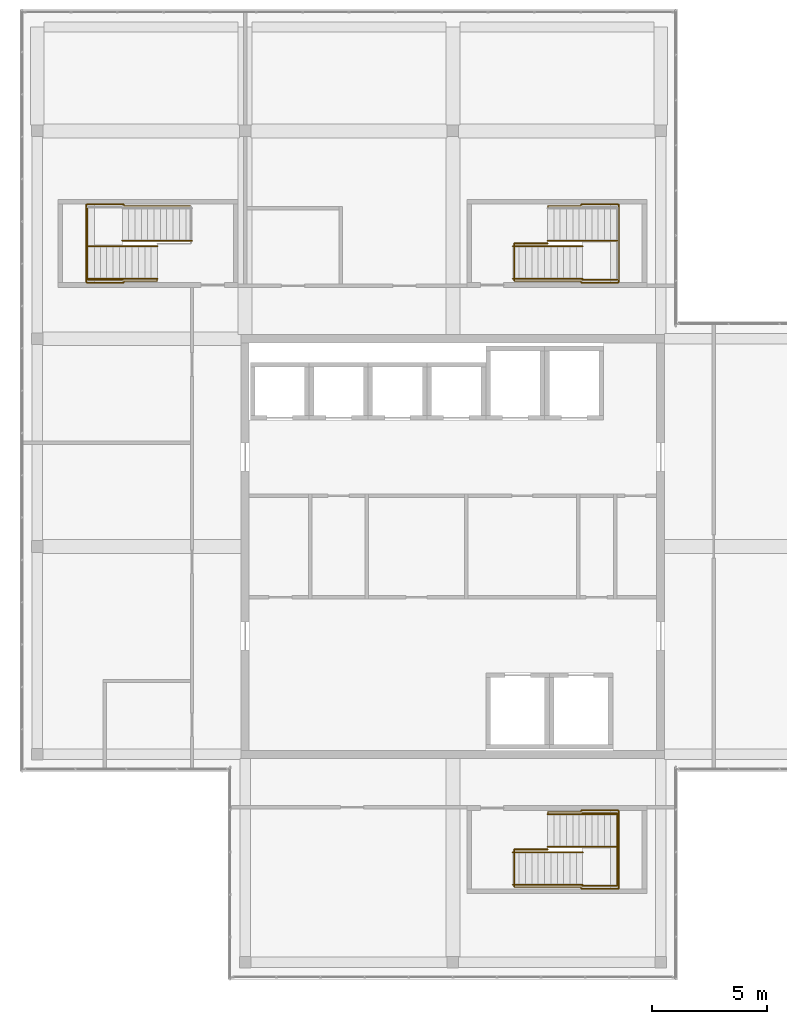
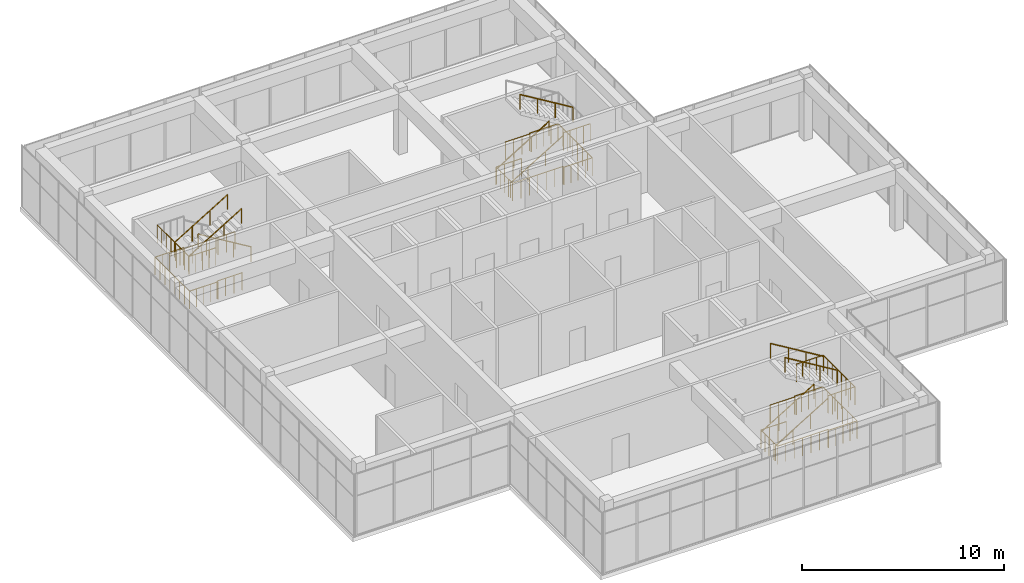
# One storey, part 33 of 34: 21 railings.
"""IFC4 building model written with IfcOpenShell, lengths in metres."""

from ifc_helpers import new_model, si_unit, direction, frame, origin, origin_2d, place, context, subcontext, project, spatial, circle, extrude, material, type_object, element, save


model = new_model("IFC4")

# Units and contexts
model_context = context("Model", 3, precision=1e-05, world=origin(), true_north=direction((0.0, 1.0)))
body_context = subcontext(model_context, "Body", "Model", "MODEL_VIEW")
ifc_project = project(units=[si_unit("LENGTHUNIT", "METRE"), si_unit("AREAUNIT", "SQUARE_METRE"), si_unit("VOLUMEUNIT", "CUBIC_METRE"), si_unit("PLANEANGLEUNIT", "RADIAN"), si_unit("MASSUNIT", "GRAM", prefix="KILO")], contexts=[model_context])

# Site, building, storey
site_placement = place(None, origin())
site = spatial("IfcSite", under=ifc_project, at=site_placement, CompositionType="ELEMENT")
building_placement = place(site_placement, origin())
building = spatial("IfcBuilding", under=site, at=building_placement, Name="Tuart Plaza Theatre", CompositionType="ELEMENT")
storey_placement = place(building_placement, frame((0.0, 0.0, 57.5)))
storey = spatial("IfcBuildingStorey", under=building, at=storey_placement, Name="L14", CompositionType="ELEMENT", Elevation=57.5)

# Railings
ifc_material_1 = material(Name="Steel Grade C350L0", Category="steel")
railing_type_1 = type_object("IfcRailingType", Name="RAILING Guard 1100", PredefinedType="GUARDRAIL", material=ifc_material_1)
railing_1_placement = place(storey_placement, frame((134.655029296875, 60.875, 0.0)))
element("IfcRailing", 1, at=railing_1_placement, inside=storey, type_object=railing_type_1, Name="GR264", PredefinedType="GUARDRAIL", context=body_context, shape_type="SweptSolid", body=[
    extrude(circle(Radius=0.02490234375, at=origin_2d()), frame((0.0, 0.0, 1.0751953125), z_axis=(1.0, 0.0, 0.0), x_axis=(0.0, 1.0, 0.0)), (0.0, 0.0, 1.0), 1.455078125),
    extrude(circle(Radius=0.02001953125, at=origin_2d()), origin(), (0.0, 0.0, 1.0), 1.050048828125),
    extrude(circle(Radius=0.02001953125, at=origin_2d()), frame((0.485107421875, 0.0, 0.0)), (0.0, 0.0, 1.0), 1.050048828125),
    extrude(circle(Radius=0.02001953125, at=origin_2d()), frame((0.969970703125, 0.0, 0.0)), (0.0, 0.0, 1.0), 1.050048828125),
    extrude(circle(Radius=0.02001953125, at=origin_2d()), frame((1.455078125, 0.0, 0.0)), (0.0, 0.0, 1.0), 1.050048828125),
])
railing_2_placement = place(storey_placement, frame((136.114990234375, 62.455078125, 0.0)))
element("IfcRailing", 2, at=railing_2_placement, inside=storey, type_object=railing_type_1, Name="GR265", PredefinedType="GUARDRAIL", context=body_context, shape_type="SweptSolid", body=[
    extrude(circle(Radius=0.02490234375, at=origin_2d()), frame((0.0, 0.0, 1.0751953125), z_axis=(0.0, 1.0, 0.0), x_axis=(-1.0, 0.0, 0.0)), (0.0, 0.0, 1.0), 0.044921875),
    extrude(circle(Radius=0.02490234375, at=origin_2d()), frame((0.0, 0.044921875, 1.0751953125), z_axis=(1.0, 0.0, 0.0), x_axis=(0.0, 1.0, 0.0)), (0.0, 0.0, 1.0), 1.43505859375),
    extrude(circle(Radius=0.02490234375, at=origin_2d()), frame((1.43505859375, 0.044921875, 1.0751953125), z_axis=(0.0, 1.0, 0.0), x_axis=(-1.0, 0.0, 0.0)), (0.0, 0.0, 1.0), 0.074951171875),
    extrude(circle(Radius=0.02490234375, at=origin_2d()), frame((1.43505859375, 0.119873046875, 1.0751953125), z_axis=(1.0, 0.0, 0.0), x_axis=(0.0, 1.0, 0.0)), (0.0, 0.0, 1.0), 1.6298828125),
    extrude(circle(Radius=0.02490234375, at=origin_2d()), frame((3.06494140625, 0.119873046875, 1.0751953125), z_axis=(0.0, -1.0, 0.0), x_axis=(1.0, 0.0, 0.0)), (0.0, 0.0, 1.0), 3.39990234375),
    extrude(circle(Radius=0.02490234375, at=origin_2d()), frame((3.06494140625, -3.280029296875, 1.0751953125), z_axis=(-1.0, 0.0, 0.0), x_axis=(0.0, -1.0, 0.0)), (0.0, 0.0, 1.0), 1.6298828125),
    extrude(circle(Radius=0.02490234375, at=origin_2d()), frame((1.43505859375, -3.280029296875, 1.0751953125), z_axis=(0.0, 1.0, 0.0), x_axis=(-1.0, 0.0, 0.0)), (0.0, 0.0, 1.0), 0.074951171875),
    extrude(circle(Radius=0.02490234375, at=origin_2d()), frame((1.43505859375, -3.205078125, 1.0751953125), z_axis=(-1.0, 0.0, 0.0), x_axis=(0.0, -1.0, 0.0)), (0.0, 0.0, 1.0), 2.89501953125),
    extrude(circle(Radius=0.02490234375, at=origin_2d()), frame((-1.4599609375, -3.205078125, 1.0751953125), z_axis=(0.0, 1.0, 0.0), x_axis=(-1.0, 0.0, 0.0)), (0.0, 0.0, 1.0), 1.625),
    extrude(circle(Radius=0.02001953125, at=origin_2d()), origin(), (0.0, 0.0, 1.0), 1.050048828125),
    extrude(circle(Radius=0.02001953125, at=origin_2d()), frame((0.0, 0.044921875, 0.0)), (0.0, 0.0, 1.0), 1.050048828125),
    extrude(circle(Radius=0.02001953125, at=origin_2d()), frame((0.478271484375, 0.044921875, 0.0)), (0.0, 0.0, 1.0), 1.050048828125),
    extrude(circle(Radius=0.02001953125, at=origin_2d()), frame((0.956787109375, 0.044921875, 0.0)), (0.0, 0.0, 1.0), 1.050048828125),
    extrude(circle(Radius=0.02001953125, at=origin_2d()), frame((1.43505859375, 0.044921875, 0.0)), (0.0, 0.0, 1.0), 1.050048828125),
    extrude(circle(Radius=0.02001953125, at=origin_2d()), frame((1.43505859375, 0.119873046875, 0.0)), (0.0, 0.0, 1.0), 1.050048828125),
    extrude(circle(Radius=0.02001953125, at=origin_2d()), frame((1.842529296875, 0.119873046875, 0.0)), (0.0, 0.0, 1.0), 1.050048828125),
    extrude(circle(Radius=0.02001953125, at=origin_2d()), frame((2.25, 0.119873046875, 0.0)), (0.0, 0.0, 1.0), 1.050048828125),
    extrude(circle(Radius=0.02001953125, at=origin_2d()), frame((2.657470703125, 0.119873046875, 0.0)), (0.0, 0.0, 1.0), 1.050048828125),
    extrude(circle(Radius=0.02001953125, at=origin_2d()), frame((3.06494140625, 0.119873046875, 0.0)), (0.0, 0.0, 1.0), 1.050048828125),
    extrude(circle(Radius=0.02001953125, at=origin_2d()), frame((3.06494140625, -0.36572265625, 0.0)), (0.0, 0.0, 1.0), 1.050048828125),
    extrude(circle(Radius=0.02001953125, at=origin_2d()), frame((3.06494140625, -0.8515625, 0.0)), (0.0, 0.0, 1.0), 1.050048828125),
    extrude(circle(Radius=0.02001953125, at=origin_2d()), frame((3.06494140625, -1.337158203125, 0.0)), (0.0, 0.0, 1.0), 1.050048828125),
    extrude(circle(Radius=0.02001953125, at=origin_2d()), frame((3.06494140625, -1.822998046875, 0.0)), (0.0, 0.0, 1.0), 1.050048828125),
    extrude(circle(Radius=0.02001953125, at=origin_2d()), frame((3.06494140625, -2.30859375, 0.0)), (0.0, 0.0, 1.0), 1.050048828125),
    extrude(circle(Radius=0.02001953125, at=origin_2d()), frame((3.06494140625, -2.79443359375, 0.0)), (0.0, 0.0, 1.0), 1.050048828125),
    extrude(circle(Radius=0.02001953125, at=origin_2d()), frame((3.06494140625, -3.280029296875, 0.0)), (0.0, 0.0, 1.0), 1.050048828125),
    extrude(circle(Radius=0.02001953125, at=origin_2d()), frame((2.657470703125, -3.280029296875, 0.0)), (0.0, 0.0, 1.0), 1.050048828125),
    extrude(circle(Radius=0.02001953125, at=origin_2d()), frame((2.25, -3.280029296875, 0.0)), (0.0, 0.0, 1.0), 1.050048828125),
    extrude(circle(Radius=0.02001953125, at=origin_2d()), frame((1.842529296875, -3.280029296875, 0.0)), (0.0, 0.0, 1.0), 1.050048828125),
    extrude(circle(Radius=0.02001953125, at=origin_2d()), frame((1.43505859375, -3.280029296875, 0.0)), (0.0, 0.0, 1.0), 1.050048828125),
    extrude(circle(Radius=0.02001953125, at=origin_2d()), frame((1.43505859375, -3.205078125, 0.0)), (0.0, 0.0, 1.0), 1.050048828125),
    extrude(circle(Radius=0.02001953125, at=origin_2d()), frame((0.95263671875, -3.205078125, 0.0)), (0.0, 0.0, 1.0), 1.050048828125),
    extrude(circle(Radius=0.02001953125, at=origin_2d()), frame((0.469970703125, -3.205078125, 0.0)), (0.0, 0.0, 1.0), 1.050048828125),
    extrude(circle(Radius=0.02001953125, at=origin_2d()), frame((-0.012451171875, -3.205078125, 0.0)), (0.0, 0.0, 1.0), 1.050048828125),
    extrude(circle(Radius=0.02001953125, at=origin_2d()), frame((-0.494873046875, -3.205078125, 0.0)), (0.0, 0.0, 1.0), 1.050048828125),
    extrude(circle(Radius=0.02001953125, at=origin_2d()), frame((-0.9775390625, -3.205078125, 0.0)), (0.0, 0.0, 1.0), 1.050048828125),
    extrude(circle(Radius=0.02001953125, at=origin_2d()), frame((-1.4599609375, -3.205078125, 0.0)), (0.0, 0.0, 1.0), 1.050048828125),
    extrude(circle(Radius=0.02001953125, at=origin_2d()), frame((-1.4599609375, -2.798828125, 0.0)), (0.0, 0.0, 1.0), 1.050048828125),
    extrude(circle(Radius=0.02001953125, at=origin_2d()), frame((-1.4599609375, -2.392578125, 0.0)), (0.0, 0.0, 1.0), 1.050048828125),
    extrude(circle(Radius=0.02001953125, at=origin_2d()), frame((-1.4599609375, -1.986328125, 0.0)), (0.0, 0.0, 1.0), 1.050048828125),
    extrude(circle(Radius=0.02001953125, at=origin_2d()), frame((-1.4599609375, -1.580078125, 0.0)), (0.0, 0.0, 1.0), 1.050048828125),
])
railing_3_placement = place(storey_placement, frame((137.60009765625, 59.300048828125, 2.0)))
element("IfcRailing", 3, at=railing_3_placement, inside=storey, type_object=railing_type_1, Name="GR271", PredefinedType="GUARDRAIL", context=body_context, shape_type="SweptSolid", body=[
    extrude(circle(Radius=0.02490234375, at=origin_2d()), frame((0.0, 0.0, 1.0751953125), z_axis=(1.0, 0.0, 0.0), x_axis=(0.0, 1.0, 0.0)), (0.0, 0.0, 1.0), 1.52978515625),
    extrude(circle(Radius=0.02001953125, at=origin_2d()), origin(), (0.0, 0.0, 1.0), 1.050048828125),
    extrude(circle(Radius=0.02001953125, at=origin_2d()), frame((0.38232421875, 0.0, 0.0)), (0.0, 0.0, 1.0), 1.050048828125),
    extrude(circle(Radius=0.02001953125, at=origin_2d()), frame((0.764892578125, 0.0, 0.0)), (0.0, 0.0, 1.0), 1.050048828125),
    extrude(circle(Radius=0.02001953125, at=origin_2d()), frame((1.1474609375, 0.0, 0.0)), (0.0, 0.0, 1.0), 1.050048828125),
    extrude(circle(Radius=0.02001953125, at=origin_2d()), frame((1.52978515625, 0.0, 0.0)), (0.0, 0.0, 1.0), 1.050048828125),
])
railing_4_placement = place(storey_placement, frame((139.1298828125, 59.300048828125, 2.0)))
element("IfcRailing", 4, at=railing_4_placement, inside=storey, type_object=railing_type_1, Name="GR272", PredefinedType="GUARDRAIL", context=body_context, shape_type="SweptSolid", body=[
    extrude(circle(Radius=0.02490234375, at=origin_2d()), frame((0.0, 0.0, 1.0751953125), z_axis=(0.0, 1.0, 0.0), x_axis=(-1.0, 0.0, 0.0)), (0.0, 0.0, 1.0), 3.14990234375),
    extrude(circle(Radius=0.02001953125, at=origin_2d()), origin(), (0.0, 0.0, 1.0), 1.050048828125),
    extrude(circle(Radius=0.02001953125, at=origin_2d()), frame((0.0, 0.449951171875, 0.0)), (0.0, 0.0, 1.0), 1.050048828125),
    extrude(circle(Radius=0.02001953125, at=origin_2d()), frame((0.0, 0.89990234375, 0.0)), (0.0, 0.0, 1.0), 1.050048828125),
    extrude(circle(Radius=0.02001953125, at=origin_2d()), frame((0.0, 1.349853515625, 0.0)), (0.0, 0.0, 1.0), 1.050048828125),
    extrude(circle(Radius=0.02001953125, at=origin_2d()), frame((0.0, 1.800048828125, 0.0)), (0.0, 0.0, 1.0), 1.050048828125),
    extrude(circle(Radius=0.02001953125, at=origin_2d()), frame((0.0, 2.25, 0.0)), (0.0, 0.0, 1.0), 1.050048828125),
    extrude(circle(Radius=0.02001953125, at=origin_2d()), frame((0.0, 2.699951171875, 0.0)), (0.0, 0.0, 1.0), 1.050048828125),
    extrude(circle(Radius=0.02001953125, at=origin_2d()), frame((0.0, 3.14990234375, 0.0)), (0.0, 0.0, 1.0), 1.050048828125),
])
railing_5_placement = place(storey_placement, frame((139.1298828125, 62.449951171875, 2.0)))
element("IfcRailing", 5, at=railing_5_placement, inside=storey, type_object=railing_type_1, Name="GR273", PredefinedType="GUARDRAIL", context=body_context, shape_type="SweptSolid", body=[
    extrude(circle(Radius=0.02490234375, at=origin_2d()), frame((0.0, 0.0, 1.0751953125), z_axis=(-1.0, 0.0, 0.0), x_axis=(0.0, -1.0, 0.0)), (0.0, 0.0, 1.0), 1.52978515625),
    extrude(circle(Radius=0.02001953125, at=origin_2d()), origin(), (0.0, 0.0, 1.0), 1.050048828125),
    extrude(circle(Radius=0.02001953125, at=origin_2d()), frame((-0.38232421875, 0.0, 0.0)), (0.0, 0.0, 1.0), 1.050048828125),
    extrude(circle(Radius=0.02001953125, at=origin_2d()), frame((-0.764892578125, 0.0, 0.0)), (0.0, 0.0, 1.0), 1.050048828125),
    extrude(circle(Radius=0.02001953125, at=origin_2d()), frame((-1.1474609375, 0.0, 0.0)), (0.0, 0.0, 1.0), 1.050048828125),
    extrude(circle(Radius=0.02001953125, at=origin_2d()), frame((-1.52978515625, 0.0, 0.0)), (0.0, 0.0, 1.0), 1.050048828125),
])
railing_6_placement = place(storey_placement, frame((134.655029296875, 87.125, 0.0)))
element("IfcRailing", 6, at=railing_6_placement, inside=storey, type_object=railing_type_1, Name="GR343", PredefinedType="GUARDRAIL", context=body_context, shape_type="SweptSolid", body=[
    extrude(circle(Radius=0.02490234375, at=origin_2d()), frame((0.0, 0.0, 1.0751953125), z_axis=(1.0, 0.0, 0.0), x_axis=(0.0, 1.0, 0.0)), (0.0, 0.0, 1.0), 1.455078125),
    extrude(circle(Radius=0.02001953125, at=origin_2d()), origin(), (0.0, 0.0, 1.0), 1.050048828125),
    extrude(circle(Radius=0.02001953125, at=origin_2d()), frame((0.485107421875, 0.0, 0.0)), (0.0, 0.0, 1.0), 1.050048828125),
    extrude(circle(Radius=0.02001953125, at=origin_2d()), frame((0.969970703125, 0.0, 0.0)), (0.0, 0.0, 1.0), 1.050048828125),
    extrude(circle(Radius=0.02001953125, at=origin_2d()), frame((1.455078125, 0.0, 0.0)), (0.0, 0.0, 1.0), 1.050048828125),
])
railing_7_placement = place(storey_placement, frame((136.114990234375, 88.705078125, 0.0)))
element("IfcRailing", 7, at=railing_7_placement, inside=storey, type_object=railing_type_1, Name="GR344", PredefinedType="GUARDRAIL", context=body_context, shape_type="SweptSolid", body=[
    extrude(circle(Radius=0.02490234375, at=origin_2d()), frame((0.0, 0.0, 1.0751953125), z_axis=(0.0, 1.0, 0.0), x_axis=(-1.0, 0.0, 0.0)), (0.0, 0.0, 1.0), 0.044921875),
    extrude(circle(Radius=0.02490234375, at=origin_2d()), frame((0.0, 0.044921875, 1.0751953125), z_axis=(1.0, 0.0, 0.0), x_axis=(0.0, 1.0, 0.0)), (0.0, 0.0, 1.0), 1.43505859375),
    extrude(circle(Radius=0.02490234375, at=origin_2d()), frame((1.43505859375, 0.044921875, 1.0751953125), z_axis=(0.0, 1.0, 0.0), x_axis=(-1.0, 0.0, 0.0)), (0.0, 0.0, 1.0), 0.074951171875),
    extrude(circle(Radius=0.02490234375, at=origin_2d()), frame((1.43505859375, 0.119873046875, 1.0751953125), z_axis=(1.0, 0.0, 0.0), x_axis=(0.0, 1.0, 0.0)), (0.0, 0.0, 1.0), 1.6298828125),
    extrude(circle(Radius=0.02490234375, at=origin_2d()), frame((3.06494140625, 0.119873046875, 1.0751953125), z_axis=(0.0, -1.0, 0.0), x_axis=(1.0, 0.0, 0.0)), (0.0, 0.0, 1.0), 3.39990234375),
    extrude(circle(Radius=0.02490234375, at=origin_2d()), frame((3.06494140625, -3.280029296875, 1.0751953125), z_axis=(-1.0, 0.0, 0.0), x_axis=(0.0, -1.0, 0.0)), (0.0, 0.0, 1.0), 1.6298828125),
    extrude(circle(Radius=0.02490234375, at=origin_2d()), frame((1.43505859375, -3.280029296875, 1.0751953125), z_axis=(0.0, 1.0, 0.0), x_axis=(-1.0, 0.0, 0.0)), (0.0, 0.0, 1.0), 0.074951171875),
    extrude(circle(Radius=0.02490234375, at=origin_2d()), frame((1.43505859375, -3.205078125, 1.0751953125), z_axis=(-1.0, 0.0, 0.0), x_axis=(0.0, -1.0, 0.0)), (0.0, 0.0, 1.0), 2.89501953125),
    extrude(circle(Radius=0.02490234375, at=origin_2d()), frame((-1.4599609375, -3.205078125, 1.0751953125), z_axis=(0.0, 1.0, 0.0), x_axis=(-1.0, 0.0, 0.0)), (0.0, 0.0, 1.0), 1.625),
    extrude(circle(Radius=0.02001953125, at=origin_2d()), origin(), (0.0, 0.0, 1.0), 1.050048828125),
    extrude(circle(Radius=0.02001953125, at=origin_2d()), frame((0.0, 0.044921875, 0.0)), (0.0, 0.0, 1.0), 1.050048828125),
    extrude(circle(Radius=0.02001953125, at=origin_2d()), frame((0.478271484375, 0.044921875, 0.0)), (0.0, 0.0, 1.0), 1.050048828125),
    extrude(circle(Radius=0.02001953125, at=origin_2d()), frame((0.956787109375, 0.044921875, 0.0)), (0.0, 0.0, 1.0), 1.050048828125),
    extrude(circle(Radius=0.02001953125, at=origin_2d()), frame((1.43505859375, 0.044921875, 0.0)), (0.0, 0.0, 1.0), 1.050048828125),
    extrude(circle(Radius=0.02001953125, at=origin_2d()), frame((1.43505859375, 0.119873046875, 0.0)), (0.0, 0.0, 1.0), 1.050048828125),
    extrude(circle(Radius=0.02001953125, at=origin_2d()), frame((1.842529296875, 0.119873046875, 0.0)), (0.0, 0.0, 1.0), 1.050048828125),
    extrude(circle(Radius=0.02001953125, at=origin_2d()), frame((2.25, 0.119873046875, 0.0)), (0.0, 0.0, 1.0), 1.050048828125),
    extrude(circle(Radius=0.02001953125, at=origin_2d()), frame((2.657470703125, 0.119873046875, 0.0)), (0.0, 0.0, 1.0), 1.050048828125),
    extrude(circle(Radius=0.02001953125, at=origin_2d()), frame((3.06494140625, 0.119873046875, 0.0)), (0.0, 0.0, 1.0), 1.050048828125),
    extrude(circle(Radius=0.02001953125, at=origin_2d()), frame((3.06494140625, -0.36572265625, 0.0)), (0.0, 0.0, 1.0), 1.050048828125),
    extrude(circle(Radius=0.02001953125, at=origin_2d()), frame((3.06494140625, -0.8515625, 0.0)), (0.0, 0.0, 1.0), 1.050048828125),
    extrude(circle(Radius=0.02001953125, at=origin_2d()), frame((3.06494140625, -1.337158203125, 0.0)), (0.0, 0.0, 1.0), 1.050048828125),
    extrude(circle(Radius=0.02001953125, at=origin_2d()), frame((3.06494140625, -1.822998046875, 0.0)), (0.0, 0.0, 1.0), 1.050048828125),
    extrude(circle(Radius=0.02001953125, at=origin_2d()), frame((3.06494140625, -2.30859375, 0.0)), (0.0, 0.0, 1.0), 1.050048828125),
    extrude(circle(Radius=0.02001953125, at=origin_2d()), frame((3.06494140625, -2.79443359375, 0.0)), (0.0, 0.0, 1.0), 1.050048828125),
    extrude(circle(Radius=0.02001953125, at=origin_2d()), frame((3.06494140625, -3.280029296875, 0.0)), (0.0, 0.0, 1.0), 1.050048828125),
    extrude(circle(Radius=0.02001953125, at=origin_2d()), frame((2.657470703125, -3.280029296875, 0.0)), (0.0, 0.0, 1.0), 1.050048828125),
    extrude(circle(Radius=0.02001953125, at=origin_2d()), frame((2.25, -3.280029296875, 0.0)), (0.0, 0.0, 1.0), 1.050048828125),
    extrude(circle(Radius=0.02001953125, at=origin_2d()), frame((1.842529296875, -3.280029296875, 0.0)), (0.0, 0.0, 1.0), 1.050048828125),
    extrude(circle(Radius=0.02001953125, at=origin_2d()), frame((1.43505859375, -3.280029296875, 0.0)), (0.0, 0.0, 1.0), 1.050048828125),
    extrude(circle(Radius=0.02001953125, at=origin_2d()), frame((1.43505859375, -3.205078125, 0.0)), (0.0, 0.0, 1.0), 1.050048828125),
    extrude(circle(Radius=0.02001953125, at=origin_2d()), frame((0.95263671875, -3.205078125, 0.0)), (0.0, 0.0, 1.0), 1.050048828125),
    extrude(circle(Radius=0.02001953125, at=origin_2d()), frame((0.469970703125, -3.205078125, 0.0)), (0.0, 0.0, 1.0), 1.050048828125),
    extrude(circle(Radius=0.02001953125, at=origin_2d()), frame((-0.012451171875, -3.205078125, 0.0)), (0.0, 0.0, 1.0), 1.050048828125),
    extrude(circle(Radius=0.02001953125, at=origin_2d()), frame((-0.494873046875, -3.205078125, 0.0)), (0.0, 0.0, 1.0), 1.050048828125),
    extrude(circle(Radius=0.02001953125, at=origin_2d()), frame((-0.9775390625, -3.205078125, 0.0)), (0.0, 0.0, 1.0), 1.050048828125),
    extrude(circle(Radius=0.02001953125, at=origin_2d()), frame((-1.4599609375, -3.205078125, 0.0)), (0.0, 0.0, 1.0), 1.050048828125),
    extrude(circle(Radius=0.02001953125, at=origin_2d()), frame((-1.4599609375, -2.798828125, 0.0)), (0.0, 0.0, 1.0), 1.050048828125),
    extrude(circle(Radius=0.02001953125, at=origin_2d()), frame((-1.4599609375, -2.392578125, 0.0)), (0.0, 0.0, 1.0), 1.050048828125),
    extrude(circle(Radius=0.02001953125, at=origin_2d()), frame((-1.4599609375, -1.986328125, 0.0)), (0.0, 0.0, 1.0), 1.050048828125),
    extrude(circle(Radius=0.02001953125, at=origin_2d()), frame((-1.4599609375, -1.580078125, 0.0)), (0.0, 0.0, 1.0), 1.050048828125),
])
railing_8_placement = place(storey_placement, frame((137.60009765625, 85.550048828125, 2.0)))
element("IfcRailing", 8, at=railing_8_placement, inside=storey, type_object=railing_type_1, Name="GR350", PredefinedType="GUARDRAIL", context=body_context, shape_type="SweptSolid", body=[
    extrude(circle(Radius=0.02490234375, at=origin_2d()), frame((0.0, 0.0, 1.0751953125), z_axis=(1.0, 0.0, 0.0), x_axis=(0.0, 1.0, 0.0)), (0.0, 0.0, 1.0), 1.52978515625),
    extrude(circle(Radius=0.02001953125, at=origin_2d()), origin(), (0.0, 0.0, 1.0), 1.050048828125),
    extrude(circle(Radius=0.02001953125, at=origin_2d()), frame((0.38232421875, 0.0, 0.0)), (0.0, 0.0, 1.0), 1.050048828125),
    extrude(circle(Radius=0.02001953125, at=origin_2d()), frame((0.764892578125, 0.0, 0.0)), (0.0, 0.0, 1.0), 1.050048828125),
    extrude(circle(Radius=0.02001953125, at=origin_2d()), frame((1.1474609375, 0.0, 0.0)), (0.0, 0.0, 1.0), 1.050048828125),
    extrude(circle(Radius=0.02001953125, at=origin_2d()), frame((1.52978515625, 0.0, 0.0)), (0.0, 0.0, 1.0), 1.050048828125),
])
railing_9_placement = place(storey_placement, frame((119.18505859375, 85.544921875, 0.0)))
element("IfcRailing", 9, at=railing_9_placement, inside=storey, type_object=railing_type_1, Name="GR423", PredefinedType="GUARDRAIL", context=body_context, shape_type="SweptSolid", body=[
    extrude(circle(Radius=0.02490234375, at=origin_2d()), frame((0.0, 0.0, 1.0751953125), z_axis=(0.0, -1.0, 0.0), x_axis=(1.0, 0.0, 0.0)), (0.0, 0.0, 1.0), 0.044921875),
    extrude(circle(Radius=0.02490234375, at=origin_2d()), frame((0.0, -0.044921875, 1.0751953125), z_axis=(-1.0, 0.0, 0.0), x_axis=(0.0, -1.0, 0.0)), (0.0, 0.0, 1.0), 1.43505859375),
    extrude(circle(Radius=0.02490234375, at=origin_2d()), frame((-1.43505859375, -0.044921875, 1.0751953125), z_axis=(0.0, -1.0, 0.0), x_axis=(1.0, 0.0, 0.0)), (0.0, 0.0, 1.0), 0.074951171875),
    extrude(circle(Radius=0.02490234375, at=origin_2d()), frame((-1.43505859375, -0.119873046875, 1.0751953125), z_axis=(-1.0, 0.0, 0.0), x_axis=(0.0, -1.0, 0.0)), (0.0, 0.0, 1.0), 1.6298828125),
    extrude(circle(Radius=0.02490234375, at=origin_2d()), frame((-3.06494140625, -0.119873046875, 1.0751953125), z_axis=(0.0, 1.0, 0.0), x_axis=(-1.0, 0.0, 0.0)), (0.0, 0.0, 1.0), 3.39990234375),
    extrude(circle(Radius=0.02490234375, at=origin_2d()), frame((-3.06494140625, 3.280029296875, 1.0751953125), z_axis=(1.0, 0.0, 0.0), x_axis=(0.0, 1.0, 0.0)), (0.0, 0.0, 1.0), 1.6298828125),
    extrude(circle(Radius=0.02490234375, at=origin_2d()), frame((-1.43505859375, 3.280029296875, 1.0751953125), z_axis=(0.0, -1.0, 0.0), x_axis=(1.0, 0.0, 0.0)), (0.0, 0.0, 1.0), 0.074951171875),
    extrude(circle(Radius=0.02490234375, at=origin_2d()), frame((-1.43505859375, 3.205078125, 1.0751953125), z_axis=(1.0, 0.0, 0.0), x_axis=(0.0, 1.0, 0.0)), (0.0, 0.0, 1.0), 2.89501953125),
    extrude(circle(Radius=0.02001953125, at=origin_2d()), origin(), (0.0, 0.0, 1.0), 1.050048828125),
    extrude(circle(Radius=0.02001953125, at=origin_2d()), frame((0.0, -0.044921875, 0.0)), (0.0, 0.0, 1.0), 1.050048828125),
    extrude(circle(Radius=0.02001953125, at=origin_2d()), frame((-0.478271484375, -0.044921875, 0.0)), (0.0, 0.0, 1.0), 1.050048828125),
    extrude(circle(Radius=0.02001953125, at=origin_2d()), frame((-0.956787109375, -0.044921875, 0.0)), (0.0, 0.0, 1.0), 1.050048828125),
    extrude(circle(Radius=0.02001953125, at=origin_2d()), frame((-1.43505859375, -0.044921875, 0.0)), (0.0, 0.0, 1.0), 1.050048828125),
    extrude(circle(Radius=0.02001953125, at=origin_2d()), frame((-1.43505859375, -0.119873046875, 0.0)), (0.0, 0.0, 1.0), 1.050048828125),
    extrude(circle(Radius=0.02001953125, at=origin_2d()), frame((-1.842529296875, -0.119873046875, 0.0)), (0.0, 0.0, 1.0), 1.050048828125),
    extrude(circle(Radius=0.02001953125, at=origin_2d()), frame((-2.25, -0.119873046875, 0.0)), (0.0, 0.0, 1.0), 1.050048828125),
    extrude(circle(Radius=0.02001953125, at=origin_2d()), frame((-2.657470703125, -0.119873046875, 0.0)), (0.0, 0.0, 1.0), 1.050048828125),
    extrude(circle(Radius=0.02001953125, at=origin_2d()), frame((-3.06494140625, -0.119873046875, 0.0)), (0.0, 0.0, 1.0), 1.050048828125),
    extrude(circle(Radius=0.02001953125, at=origin_2d()), frame((-3.06494140625, 0.36572265625, 0.0)), (0.0, 0.0, 1.0), 1.050048828125),
    extrude(circle(Radius=0.02001953125, at=origin_2d()), frame((-3.06494140625, 0.8515625, 0.0)), (0.0, 0.0, 1.0), 1.050048828125),
    extrude(circle(Radius=0.02001953125, at=origin_2d()), frame((-3.06494140625, 1.337158203125, 0.0)), (0.0, 0.0, 1.0), 1.050048828125),
    extrude(circle(Radius=0.02001953125, at=origin_2d()), frame((-3.06494140625, 1.822998046875, 0.0)), (0.0, 0.0, 1.0), 1.050048828125),
    extrude(circle(Radius=0.02001953125, at=origin_2d()), frame((-3.06494140625, 2.30859375, 0.0)), (0.0, 0.0, 1.0), 1.050048828125),
    extrude(circle(Radius=0.02001953125, at=origin_2d()), frame((-3.06494140625, 2.79443359375, 0.0)), (0.0, 0.0, 1.0), 1.050048828125),
    extrude(circle(Radius=0.02001953125, at=origin_2d()), frame((-3.06494140625, 3.280029296875, 0.0)), (0.0, 0.0, 1.0), 1.050048828125),
    extrude(circle(Radius=0.02001953125, at=origin_2d()), frame((-2.657470703125, 3.280029296875, 0.0)), (0.0, 0.0, 1.0), 1.050048828125),
    extrude(circle(Radius=0.02001953125, at=origin_2d()), frame((-2.25, 3.280029296875, 0.0)), (0.0, 0.0, 1.0), 1.050048828125),
    extrude(circle(Radius=0.02001953125, at=origin_2d()), frame((-1.842529296875, 3.280029296875, 0.0)), (0.0, 0.0, 1.0), 1.050048828125),
    extrude(circle(Radius=0.02001953125, at=origin_2d()), frame((-1.43505859375, 3.280029296875, 0.0)), (0.0, 0.0, 1.0), 1.050048828125),
    extrude(circle(Radius=0.02001953125, at=origin_2d()), frame((-1.43505859375, 3.205078125, 0.0)), (0.0, 0.0, 1.0), 1.050048828125),
    extrude(circle(Radius=0.02001953125, at=origin_2d()), frame((-0.95263671875, 3.205078125, 0.0)), (0.0, 0.0, 1.0), 1.050048828125),
    extrude(circle(Radius=0.02001953125, at=origin_2d()), frame((-0.469970703125, 3.205078125, 0.0)), (0.0, 0.0, 1.0), 1.050048828125),
    extrude(circle(Radius=0.02001953125, at=origin_2d()), frame((0.012451171875, 3.205078125, 0.0)), (0.0, 0.0, 1.0), 1.050048828125),
    extrude(circle(Radius=0.02001953125, at=origin_2d()), frame((0.494873046875, 3.205078125, 0.0)), (0.0, 0.0, 1.0), 1.050048828125),
    extrude(circle(Radius=0.02001953125, at=origin_2d()), frame((0.9775390625, 3.205078125, 0.0)), (0.0, 0.0, 1.0), 1.050048828125),
    extrude(circle(Radius=0.02001953125, at=origin_2d()), frame((1.4599609375, 3.205078125, 0.0)), (0.0, 0.0, 1.0), 1.050048828125),
])
railing_10_placement = place(storey_placement, frame((116.169921875, 88.699951171875, 2.0)))
element("IfcRailing", 10, at=railing_10_placement, inside=storey, type_object=railing_type_1, Name="GR430", PredefinedType="GUARDRAIL", context=body_context, shape_type="SweptSolid", body=[
    extrude(circle(Radius=0.02490234375, at=origin_2d()), frame((0.0, 0.0, 1.0751953125), z_axis=(0.0, -1.0, 0.0), x_axis=(1.0, 0.0, 0.0)), (0.0, 0.0, 1.0), 3.14990234375),
    extrude(circle(Radius=0.02001953125, at=origin_2d()), origin(), (0.0, 0.0, 1.0), 1.050048828125),
    extrude(circle(Radius=0.02001953125, at=origin_2d()), frame((0.0, -0.449951171875, 0.0)), (0.0, 0.0, 1.0), 1.050048828125),
    extrude(circle(Radius=0.02001953125, at=origin_2d()), frame((0.0, -0.89990234375, 0.0)), (0.0, 0.0, 1.0), 1.050048828125),
    extrude(circle(Radius=0.02001953125, at=origin_2d()), frame((0.0, -1.349853515625, 0.0)), (0.0, 0.0, 1.0), 1.050048828125),
    extrude(circle(Radius=0.02001953125, at=origin_2d()), frame((0.0, -1.800048828125, 0.0)), (0.0, 0.0, 1.0), 1.050048828125),
    extrude(circle(Radius=0.02001953125, at=origin_2d()), frame((0.0, -2.25, 0.0)), (0.0, 0.0, 1.0), 1.050048828125),
    extrude(circle(Radius=0.02001953125, at=origin_2d()), frame((0.0, -2.699951171875, 0.0)), (0.0, 0.0, 1.0), 1.050048828125),
    extrude(circle(Radius=0.02001953125, at=origin_2d()), frame((0.0, -3.14990234375, 0.0)), (0.0, 0.0, 1.0), 1.050048828125),
])
railing_11_placement = place(storey_placement, frame((116.169921875, 85.550048828125, 2.0)))
element("IfcRailing", 11, at=railing_11_placement, inside=storey, type_object=railing_type_1, Name="GR431", PredefinedType="GUARDRAIL", context=body_context, shape_type="SweptSolid", body=[
    extrude(circle(Radius=0.02490234375, at=origin_2d()), frame((0.0, 0.0, 1.0751953125), z_axis=(1.0, 0.0, 0.0), x_axis=(0.0, 1.0, 0.0)), (0.0, 0.0, 1.0), 1.530029296875),
    extrude(circle(Radius=0.02001953125, at=origin_2d()), origin(), (0.0, 0.0, 1.0), 1.050048828125),
    extrude(circle(Radius=0.02001953125, at=origin_2d()), frame((0.382568359375, 0.0, 0.0)), (0.0, 0.0, 1.0), 1.050048828125),
    extrude(circle(Radius=0.02001953125, at=origin_2d()), frame((0.76513671875, 0.0, 0.0)), (0.0, 0.0, 1.0), 1.050048828125),
    extrude(circle(Radius=0.02001953125, at=origin_2d()), frame((1.1474609375, 0.0, 0.0)), (0.0, 0.0, 1.0), 1.050048828125),
    extrude(circle(Radius=0.02001953125, at=origin_2d()), frame((1.530029296875, 0.0, 0.0)), (0.0, 0.0, 1.0), 1.050048828125),
])
ifc_material_2 = material(Name="Steel Grade C350L0", Category="steel")
railing_type_2 = type_object("IfcRailingType", Name="RAILING Handrail 900", PredefinedType="HANDRAIL", material=ifc_material_2)
for number, where, name in (
    (12, (134.594970703125, 60.75, 0.166748046875), "HR171"),
    (13, (134.594970703125, 59.35009765625, 0.166748046875), "HR172"),
):
    element("IfcRailing", number, at=place(storey_placement, frame(where)), inside=storey, type_object=railing_type_2, Name=name, PredefinedType="HANDRAIL", context=body_context, shape_type="SweptSolid", body=[
        extrude(circle(Radius=0.0224609375, at=origin_2d()), frame((0.0, 0.0, 0.87744140625), z_axis=(0.855219153138, 0.0, 0.518266533848), x_axis=(0.0, 1.0, 0.0)), (0.0, 0.0, 1.0), 3.537353515625),
        extrude(circle(Radius=0.01513671875, at=origin_2d()), origin(), (0.0, 0.0, 1.0), 0.85498046875),
        extrude(circle(Radius=0.01513671875, at=origin_2d()), frame((1.00830078125, 0.0, 0.611083984375)), (0.0, 0.0, 1.0), 0.85498046875),
        extrude(circle(Radius=0.01513671875, at=origin_2d()), frame((2.016845703125, 0.0, 1.22216796875)), (0.0, 0.0, 1.0), 0.85498046875),
        extrude(circle(Radius=0.01513671875, at=origin_2d()), frame((3.025146484375, 0.0, 1.833251953125)), (0.0, 0.0, 1.0), 0.85498046875),
    ])
for number, where, name in (
    (14, (139.1201171875, 61.0, 2.166748046875), "HR173"),
    (15, (139.1201171875, 62.39990234375, 2.166748046875), "HR174"),
):
    element("IfcRailing", number, at=place(storey_placement, frame(where)), inside=storey, type_object=railing_type_2, Name=name, PredefinedType="HANDRAIL", context=body_context, shape_type="SweptSolid", body=[
        extrude(circle(Radius=0.0224609375, at=origin_2d()), frame((0.0, 0.0, 0.87744140625), z_axis=(-0.855219153138, 0.0, 0.518266533848), x_axis=(0.0, -1.0, 0.0)), (0.0, 0.0, 1.0), 3.537353515625),
        extrude(circle(Radius=0.01513671875, at=origin_2d()), origin(), (0.0, 0.0, 1.0), 0.85498046875),
        extrude(circle(Radius=0.01513671875, at=origin_2d()), frame((-1.00830078125, 0.0, 0.611083984375)), (0.0, 0.0, 1.0), 0.85498046875),
        extrude(circle(Radius=0.01513671875, at=origin_2d()), frame((-2.016845703125, 0.0, 1.22216796875)), (0.0, 0.0, 1.0), 0.85498046875),
        extrude(circle(Radius=0.01513671875, at=origin_2d()), frame((-3.025146484375, 0.0, 1.833251953125)), (0.0, 0.0, 1.0), 0.85498046875),
    ])
for number, where, name in (
    (16, (134.594970703125, 87.0, 0.166748046875), "HR235"),
    (17, (134.594970703125, 85.60009765625, 0.166748046875), "HR236"),
):
    element("IfcRailing", number, at=place(storey_placement, frame(where)), inside=storey, type_object=railing_type_2, Name=name, PredefinedType="HANDRAIL", context=body_context, shape_type="SweptSolid", body=[
        extrude(circle(Radius=0.0224609375, at=origin_2d()), frame((0.0, 0.0, 0.87744140625), z_axis=(0.855219153138, 0.0, 0.518266533848), x_axis=(0.0, 1.0, 0.0)), (0.0, 0.0, 1.0), 3.537353515625),
        extrude(circle(Radius=0.01513671875, at=origin_2d()), origin(), (0.0, 0.0, 1.0), 0.85498046875),
        extrude(circle(Radius=0.01513671875, at=origin_2d()), frame((1.00830078125, 0.0, 0.611083984375)), (0.0, 0.0, 1.0), 0.85498046875),
        extrude(circle(Radius=0.01513671875, at=origin_2d()), frame((2.016845703125, 0.0, 1.22216796875)), (0.0, 0.0, 1.0), 0.85498046875),
        extrude(circle(Radius=0.01513671875, at=origin_2d()), frame((3.025146484375, 0.0, 1.833251953125)), (0.0, 0.0, 1.0), 0.85498046875),
    ])
for number, where, name in (
    (18, (139.1201171875, 87.25, 2.166748046875), "HR237"),
    (19, (120.705078125, 87.25, 0.166748046875), "HR299"),
):
    element("IfcRailing", number, at=place(storey_placement, frame(where)), inside=storey, type_object=railing_type_2, Name=name, PredefinedType="HANDRAIL", context=body_context, shape_type="SweptSolid", body=[
        extrude(circle(Radius=0.0224609375, at=origin_2d()), frame((0.0, 0.0, 0.87744140625), z_axis=(-0.855219153138, 0.0, 0.518266533848), x_axis=(0.0, -1.0, 0.0)), (0.0, 0.0, 1.0), 3.537353515625),
        extrude(circle(Radius=0.01513671875, at=origin_2d()), origin(), (0.0, 0.0, 1.0), 0.85498046875),
        extrude(circle(Radius=0.01513671875, at=origin_2d()), frame((-1.00830078125, 0.0, 0.611083984375)), (0.0, 0.0, 1.0), 0.85498046875),
        extrude(circle(Radius=0.01513671875, at=origin_2d()), frame((-2.016845703125, 0.0, 1.22216796875)), (0.0, 0.0, 1.0), 0.85498046875),
        extrude(circle(Radius=0.01513671875, at=origin_2d()), frame((-3.025146484375, 0.0, 1.833251953125)), (0.0, 0.0, 1.0), 0.85498046875),
    ])
for number, where, name in (
    (20, (116.179931640625, 87.0, 2.166748046875), "HR301"),
    (21, (116.179931640625, 85.60009765625, 2.166748046875), "HR302"),
):
    element("IfcRailing", number, at=place(storey_placement, frame(where)), inside=storey, type_object=railing_type_2, Name=name, PredefinedType="HANDRAIL", context=body_context, shape_type="SweptSolid", body=[
        extrude(circle(Radius=0.0224609375, at=origin_2d()), frame((0.0, 0.0, 0.87744140625), z_axis=(0.855219153138, 0.0, 0.518266533848), x_axis=(0.0, 1.0, 0.0)), (0.0, 0.0, 1.0), 3.537353515625),
        extrude(circle(Radius=0.01513671875, at=origin_2d()), origin(), (0.0, 0.0, 1.0), 0.85498046875),
        extrude(circle(Radius=0.01513671875, at=origin_2d()), frame((1.00830078125, 0.0, 0.611083984375)), (0.0, 0.0, 1.0), 0.85498046875),
        extrude(circle(Radius=0.01513671875, at=origin_2d()), frame((2.016845703125, 0.0, 1.22216796875)), (0.0, 0.0, 1.0), 0.85498046875),
        extrude(circle(Radius=0.01513671875, at=origin_2d()), frame((3.025146484375, 0.0, 1.833251953125)), (0.0, 0.0, 1.0), 0.85498046875),
    ])

save(model, "model.ifc")
